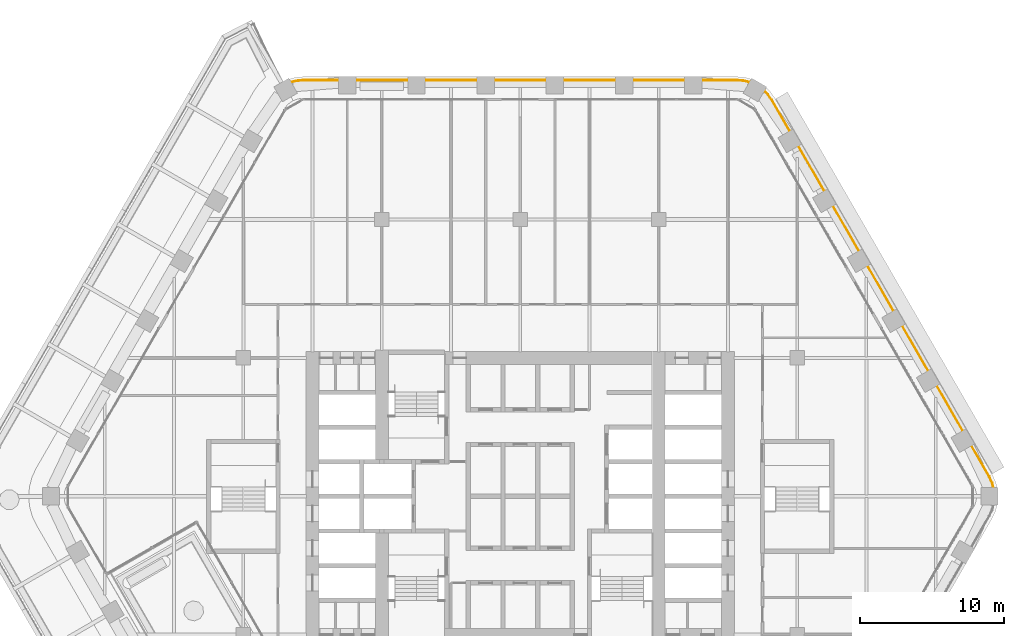
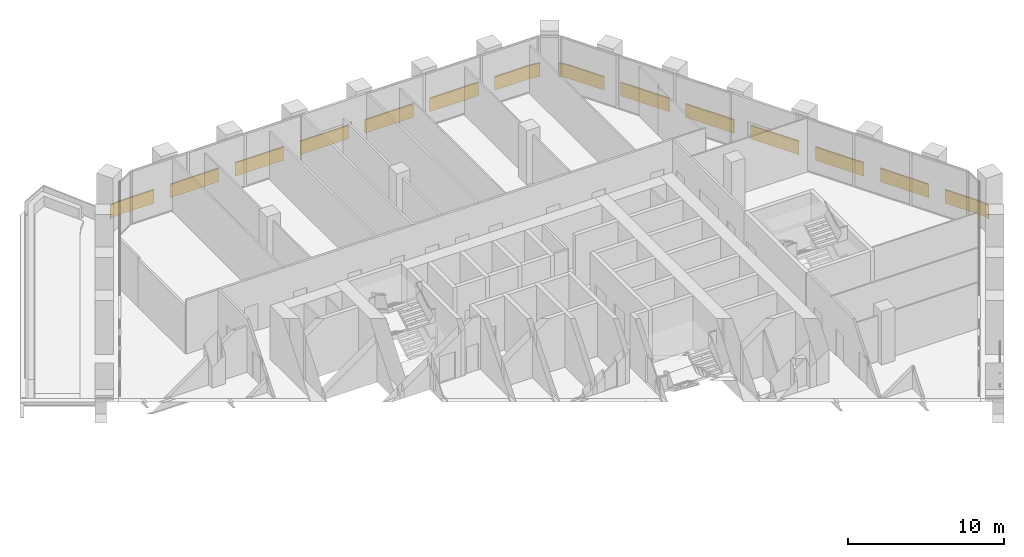
# One storey, part 27 of 27: 2 railings.
"""IFC4 building model written with IfcOpenShell, lengths in metres."""

from ifc_helpers import new_model, si_unit, direction, frame, frame_2d, origin, origin_2d, place, context, subcontext, project, spatial, rectangle, extrude, material, type_object, element, save


model = new_model("IFC4")

# Units and contexts
model_context = context("Model", 3, precision=1e-05, world=origin(), true_north=direction((0.0, 1.0)))
body_context = subcontext(model_context, "Body", "Model", "MODEL_VIEW")
ifc_project = project(units=[si_unit("LENGTHUNIT", "METRE"), si_unit("AREAUNIT", "SQUARE_METRE"), si_unit("VOLUMEUNIT", "CUBIC_METRE"), si_unit("PLANEANGLEUNIT", "RADIAN"), si_unit("MASSUNIT", "GRAM", prefix="KILO")], contexts=[model_context])

# Site, building, storey
site_placement = place(None, origin())
site = spatial("IfcSite", under=ifc_project, at=site_placement, CompositionType="ELEMENT")
building_placement = place(site_placement, origin())
building = spatial("IfcBuilding", under=site, at=building_placement, Name="Kolab Exchange Tower", CompositionType="ELEMENT")
storey_placement = place(building_placement, frame((0.0, 0.0, 122.89990234375)))
storey = spatial("IfcBuildingStorey", under=building, at=storey_placement, Name="L24", CompositionType="ELEMENT", Elevation=122.89990234375)

# Railings
ifc_material = material(Name="Steel S235", Category="steel")
railing_type = type_object("IfcRailingType", Name="GUARD 1100 GLASS BALUSTRADE AND STEEL TOP RAIL", PredefinedType="GUARDRAIL", material=ifc_material)
railing_1_placement = place(storey_placement, frame((15.89208984375, 28.7138671875, 0.0)))
element("IfcRailing", 1, at=railing_1_placement, inside=storey, type_object=railing_type, Name="Guard", PredefinedType="GUARDRAIL", context=body_context, shape_type="SweptSolid", body=[
    extrude(rectangle(XDim=0.05, YDim=0.05, at=origin_2d()), frame((0.0, 0.0, 1.0751953125), z_axis=(-0.966008746817, 0.258509382951, 0.0), x_axis=(-0.258509382951, -0.966008746817, 0.0)), (0.0, 0.0, 1.0), 0.35888671875),
    extrude(rectangle(XDim=0.012, YDim=1.05009765625, at=frame_2d((0.0, 0.525146484375))), frame((0.0, 0.0, 0.0), z_axis=(-0.966008746817, 0.258509382951, 0.0), x_axis=(-0.258509382951, -0.966008746817, 0.0)), (0.0, 0.0, 1.0), 0.35888671875),
    extrude(rectangle(XDim=0.05, YDim=0.05, at=origin_2d()), frame((-0.3466796875, 0.0927734375, 1.0751953125), z_axis=(-0.996200348447, 0.087091134757, 0.0), x_axis=(-0.087091134757, -0.996200348447, 0.0)), (0.0, 0.0, 1.0), 0.479248046875),
    extrude(rectangle(XDim=0.012, YDim=1.05009765625, at=frame_2d((0.0, 0.525146484375))), frame((-0.3466796875, 0.0927734375, 0.0), z_axis=(-0.996200348447, 0.087091134757, 0.0), x_axis=(-0.087091134757, -0.996200348447, 0.0)), (0.0, 0.0, 1.0), 0.479248046875),
    extrude(rectangle(XDim=0.05, YDim=0.05, at=origin_2d()), frame((-0.82421875, 0.134521484375, 1.0751953125), z_axis=(-1.0, 0.0, 0.0), x_axis=(0.0, -1.0, 0.0)), (0.0, 0.0, 1.0), 2.4677734375),
    extrude(rectangle(XDim=0.012, YDim=1.05009765625, at=frame_2d((0.0, 0.525146484375))), frame((-0.82421875, 0.134521484375, 0.0), z_axis=(-1.0, 0.0, 0.0), x_axis=(0.0, -1.0, 0.0)), (0.0, 0.0, 1.0), 2.4677734375),
    extrude(rectangle(XDim=0.05, YDim=0.05, at=origin_2d()), frame((-4.4921875, 0.134521484375, 1.0751953125), z_axis=(-1.0, 0.0, 0.0), x_axis=(0.0, -1.0, 0.0)), (0.0, 0.0, 1.0), 3.599853515625),
    extrude(rectangle(XDim=0.012, YDim=1.05009765625, at=frame_2d((0.0, 0.525146484375))), frame((-4.4921875, 0.134521484375, 0.0), z_axis=(-1.0, 0.0, 0.0), x_axis=(0.0, -1.0, 0.0)), (0.0, 0.0, 1.0), 3.599853515625),
    extrude(rectangle(XDim=0.05, YDim=0.05, at=origin_2d()), frame((-9.2919921875, 0.134521484375, 1.0751953125), z_axis=(-1.0, 0.0, 0.0), x_axis=(0.0, -1.0, 0.0)), (0.0, 0.0, 1.0), 3.60009765625),
    extrude(rectangle(XDim=0.012, YDim=1.05009765625, at=frame_2d((0.0, 0.525146484375))), frame((-9.2919921875, 0.134521484375, 0.0), z_axis=(-1.0, 0.0, 0.0), x_axis=(0.0, -1.0, 0.0)), (0.0, 0.0, 1.0), 3.60009765625),
    extrude(rectangle(XDim=0.05, YDim=0.05, at=origin_2d()), frame((-14.092041015625, 0.134521484375, 1.0751953125), z_axis=(-1.0, 0.0, 0.0), x_axis=(0.0, -1.0, 0.0)), (0.0, 0.0, 1.0), 3.60009765625),
    extrude(rectangle(XDim=0.012, YDim=1.05009765625, at=frame_2d((0.0, 0.525146484375))), frame((-14.092041015625, 0.134521484375, 0.0), z_axis=(-1.0, 0.0, 0.0), x_axis=(0.0, -1.0, 0.0)), (0.0, 0.0, 1.0), 3.60009765625),
    extrude(rectangle(XDim=0.05, YDim=0.05, at=origin_2d()), frame((-18.89208984375, 0.134521484375, 1.0751953125), z_axis=(-1.0, 0.0, 0.0), x_axis=(0.0, -1.0, 0.0)), (0.0, 0.0, 1.0), 3.60009765625),
    extrude(rectangle(XDim=0.012, YDim=1.05009765625, at=frame_2d((0.0, 0.525146484375))), frame((-18.89208984375, 0.134521484375, 0.0), z_axis=(-1.0, 0.0, 0.0), x_axis=(0.0, -1.0, 0.0)), (0.0, 0.0, 1.0), 3.60009765625),
    extrude(rectangle(XDim=0.05, YDim=0.05, at=origin_2d()), frame((-23.692138671875, 0.134521484375, 1.0751953125), z_axis=(-1.0, 0.0, 0.0), x_axis=(0.0, -1.0, 0.0)), (0.0, 0.0, 1.0), 3.599853515625),
    extrude(rectangle(XDim=0.012, YDim=1.05009765625, at=frame_2d((0.0, 0.525146484375))), frame((-23.692138671875, 0.134521484375, 0.0), z_axis=(-1.0, 0.0, 0.0), x_axis=(0.0, -1.0, 0.0)), (0.0, 0.0, 1.0), 3.599853515625),
    extrude(rectangle(XDim=0.05, YDim=0.05, at=origin_2d()), frame((-28.4921875, 0.134521484375, 1.0751953125), z_axis=(-1.0, 0.0, 0.0), x_axis=(0.0, -1.0, 0.0)), (0.0, 0.0, 1.0), 2.4677734375),
    extrude(rectangle(XDim=0.012, YDim=1.05009765625, at=frame_2d((0.0, 0.525146484375))), frame((-28.4921875, 0.134521484375, 0.0), z_axis=(-1.0, 0.0, 0.0), x_axis=(0.0, -1.0, 0.0)), (0.0, 0.0, 1.0), 2.4677734375),
    extrude(rectangle(XDim=0.05, YDim=0.05, at=origin_2d()), frame((-30.9599609375, 0.134521484375, 1.0751953125), z_axis=(-0.996200348447, -0.087091134757, 0.0), x_axis=(0.087091134757, -0.996200348447, 0.0)), (0.0, 0.0, 1.0), 0.479248046875),
    extrude(rectangle(XDim=0.012, YDim=1.05009765625, at=frame_2d((0.0, 0.525146484375))), frame((-30.9599609375, 0.134521484375, 0.0), z_axis=(-0.996200348447, -0.087091134757, 0.0), x_axis=(0.087091134757, -0.996200348447, 0.0)), (0.0, 0.0, 1.0), 0.479248046875),
    extrude(rectangle(XDim=0.05, YDim=0.05, at=origin_2d()), frame((-31.4375, 0.0927734375, 1.0751953125), z_axis=(-0.966008746817, -0.258509382951, 0.0), x_axis=(0.258509382951, -0.966008746817, 0.0)), (0.0, 0.0, 1.0), 0.35888671875),
    extrude(rectangle(XDim=0.012, YDim=1.05009765625, at=frame_2d((0.0, 0.525146484375))), frame((-31.4375, 0.0927734375, 0.0), z_axis=(-0.966008746817, -0.258509382951, 0.0), x_axis=(0.258509382951, -0.966008746817, 0.0)), (0.0, 0.0, 1.0), 0.35888671875),
])
railing_2_placement = place(storey_placement, frame((32.81298828125, 0.593994140625, 0.0)))
element("IfcRailing", 2, at=railing_2_placement, inside=storey, type_object=railing_type, Name="Guard", PredefinedType="GUARDRAIL", context=body_context, shape_type="SweptSolid", body=[
    extrude(rectangle(XDim=0.05, YDim=0.05, at=origin_2d()), frame((0.0, 0.0, 1.0751953125), z_axis=(-0.259144041577, 0.965838685141, 0.0), x_axis=(-0.965838685141, -0.259144041577, 0.0)), (0.0, 0.0, 1.0), 0.35888671875),
    extrude(rectangle(XDim=0.012, YDim=1.05009765625, at=frame_2d((0.0, 0.525146484375))), frame((0.0, 0.0, 0.0), z_axis=(-0.259144041577, 0.965838685141, 0.0), x_axis=(-0.965838685141, -0.259144041577, 0.0)), (0.0, 0.0, 1.0), 0.35888671875),
    extrude(rectangle(XDim=0.05, YDim=0.05, at=origin_2d()), frame((-0.093017578125, 0.3466796875, 1.0751953125), z_axis=(-0.422383329074, 0.906417300872, 0.0), x_axis=(-0.906417300872, -0.422383329074, 0.0)), (0.0, 0.0, 1.0), 0.479248046875),
    extrude(rectangle(XDim=0.012, YDim=1.05009765625, at=frame_2d((0.0, 0.525146484375))), frame((-0.093017578125, 0.3466796875, 0.0), z_axis=(-0.422383329074, 0.906417300872, 0.0), x_axis=(-0.906417300872, -0.422383329074, 0.0)), (0.0, 0.0, 1.0), 0.479248046875),
    extrude(rectangle(XDim=0.05, YDim=0.05, at=origin_2d()), frame((-0.29541015625, 0.781005859375, 1.0751953125), z_axis=(-0.500064973171, 0.865987888257, 0.0), x_axis=(-0.865987888257, -0.500064973171, 0.0)), (0.0, 0.0, 1.0), 2.468017578125),
    extrude(rectangle(XDim=0.012, YDim=1.05009765625, at=frame_2d((0.0, 0.525146484375))), frame((-0.29541015625, 0.781005859375, 0.0), z_axis=(-0.500064973171, 0.865987888257, 0.0), x_axis=(-0.865987888257, -0.500064973171, 0.0)), (0.0, 0.0, 1.0), 2.468017578125),
    extrude(rectangle(XDim=0.05, YDim=0.05, at=origin_2d()), frame((-2.12939453125, 3.95751953125, 1.0751953125), z_axis=(-0.500012057535, 0.866018442252, 0.0), x_axis=(-0.866018442252, -0.500012057535, 0.0)), (0.0, 0.0, 1.0), 3.60009765625),
    extrude(rectangle(XDim=0.012, YDim=1.05009765625, at=frame_2d((0.0, 0.525146484375))), frame((-2.12939453125, 3.95751953125, 0.0), z_axis=(-0.500012057535, 0.866018442252, 0.0), x_axis=(-0.866018442252, -0.500012057535, 0.0)), (0.0, 0.0, 1.0), 3.60009765625),
    extrude(rectangle(XDim=0.05, YDim=0.05, at=origin_2d()), frame((-4.529541015625, 8.114501953125, 1.0751953125), z_axis=(-0.500012057535, 0.866018442252, 0.0), x_axis=(-0.866018442252, -0.500012057535, 0.0)), (0.0, 0.0, 1.0), 3.60009765625),
    extrude(rectangle(XDim=0.012, YDim=1.05009765625, at=frame_2d((0.0, 0.525146484375))), frame((-4.529541015625, 8.114501953125, 0.0), z_axis=(-0.500012057535, 0.866018442252, 0.0), x_axis=(-0.866018442252, -0.500012057535, 0.0)), (0.0, 0.0, 1.0), 3.60009765625),
    extrude(rectangle(XDim=0.05, YDim=0.05, at=origin_2d()), frame((-6.929443359375, 12.271484375, 1.0751953125), z_axis=(-0.500012057535, 0.866018442252, 0.0), x_axis=(-0.866018442252, -0.500012057535, 0.0)), (0.0, 0.0, 1.0), 3.60009765625),
    extrude(rectangle(XDim=0.012, YDim=1.05009765625, at=frame_2d((0.0, 0.525146484375))), frame((-6.929443359375, 12.271484375, 0.0), z_axis=(-0.500012057535, 0.866018442252, 0.0), x_axis=(-0.866018442252, -0.500012057535, 0.0)), (0.0, 0.0, 1.0), 3.60009765625),
    extrude(rectangle(XDim=0.05, YDim=0.05, at=origin_2d()), frame((-9.32958984375, 16.42822265625, 1.0751953125), z_axis=(-0.499961193289, 0.866047807691, 0.0), x_axis=(-0.866047807691, -0.499961193289, 0.0)), (0.0, 0.0, 1.0), 3.599853515625),
    extrude(rectangle(XDim=0.012, YDim=1.05009765625, at=frame_2d((0.0, 0.525146484375))), frame((-9.32958984375, 16.42822265625, 0.0), z_axis=(-0.499961193289, 0.866047807691, 0.0), x_axis=(-0.866047807691, -0.499961193289, 0.0)), (0.0, 0.0, 1.0), 3.599853515625),
    extrude(rectangle(XDim=0.05, YDim=0.05, at=origin_2d()), frame((-11.7294921875, 20.585205078125, 1.0751953125), z_axis=(-0.500012057535, 0.866018442252, 0.0), x_axis=(-0.866018442252, -0.500012057535, 0.0)), (0.0, 0.0, 1.0), 3.60009765625),
    extrude(rectangle(XDim=0.012, YDim=1.05009765625, at=frame_2d((0.0, 0.525146484375))), frame((-11.7294921875, 20.585205078125, 0.0), z_axis=(-0.500012057535, 0.866018442252, 0.0), x_axis=(-0.866018442252, -0.500012057535, 0.0)), (0.0, 0.0, 1.0), 3.60009765625),
    extrude(rectangle(XDim=0.05, YDim=0.05, at=origin_2d()), frame((-14.12939453125, 24.7421875, 1.0751953125), z_axis=(-0.500064973171, 0.865987888257, 0.0), x_axis=(-0.865987888257, -0.500064973171, 0.0)), (0.0, 0.0, 1.0), 2.468017578125),
    extrude(rectangle(XDim=0.012, YDim=1.05009765625, at=frame_2d((0.0, 0.525146484375))), frame((-14.12939453125, 24.7421875, 0.0), z_axis=(-0.500064973171, 0.865987888257, 0.0), x_axis=(-0.865987888257, -0.500064973171, 0.0)), (0.0, 0.0, 1.0), 2.468017578125),
    extrude(rectangle(XDim=0.05, YDim=0.05, at=origin_2d()), frame((-15.363525390625, 26.87939453125, 1.0751953125), z_axis=(-0.573359816273, 0.819303680624, 0.0), x_axis=(-0.819303680624, -0.573359816273, 0.0)), (0.0, 0.0, 1.0), 0.4794921875),
    extrude(rectangle(XDim=0.012, YDim=1.05009765625, at=frame_2d((0.0, 0.525146484375))), frame((-15.363525390625, 26.87939453125, 0.0), z_axis=(-0.573359816273, 0.819303680624, 0.0), x_axis=(-0.819303680624, -0.573359816273, 0.0)), (0.0, 0.0, 1.0), 0.4794921875),
    extrude(rectangle(XDim=0.05, YDim=0.05, at=origin_2d()), frame((-15.638427734375, 27.272216796875, 1.0751953125), z_axis=(-0.707106781187, 0.707106781187, 0.0), x_axis=(-0.707106781187, -0.707106781187, 0.0)), (0.0, 0.0, 1.0), 0.358642578125),
    extrude(rectangle(XDim=0.012, YDim=1.05009765625, at=frame_2d((0.0, 0.525146484375))), frame((-15.638427734375, 27.272216796875, 0.0), z_axis=(-0.707106781187, 0.707106781187, 0.0), x_axis=(-0.707106781187, -0.707106781187, 0.0)), (0.0, 0.0, 1.0), 0.358642578125),
])

save(model, "model.ifc")
